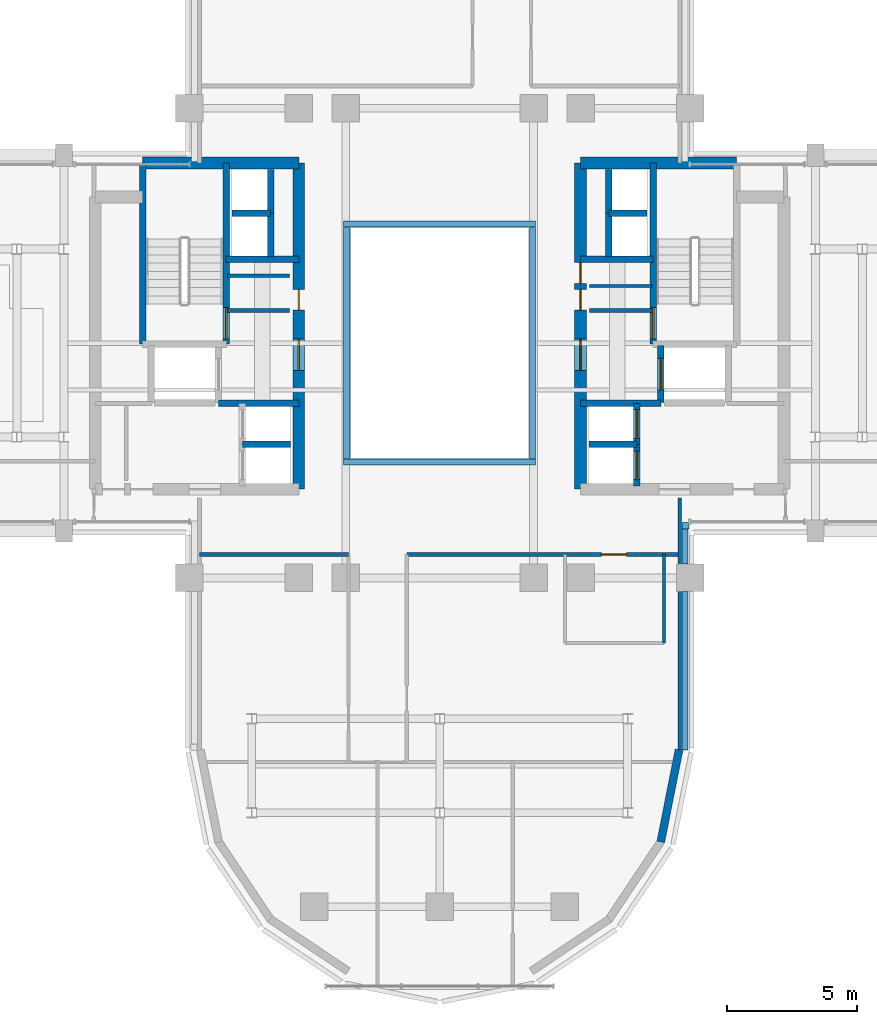
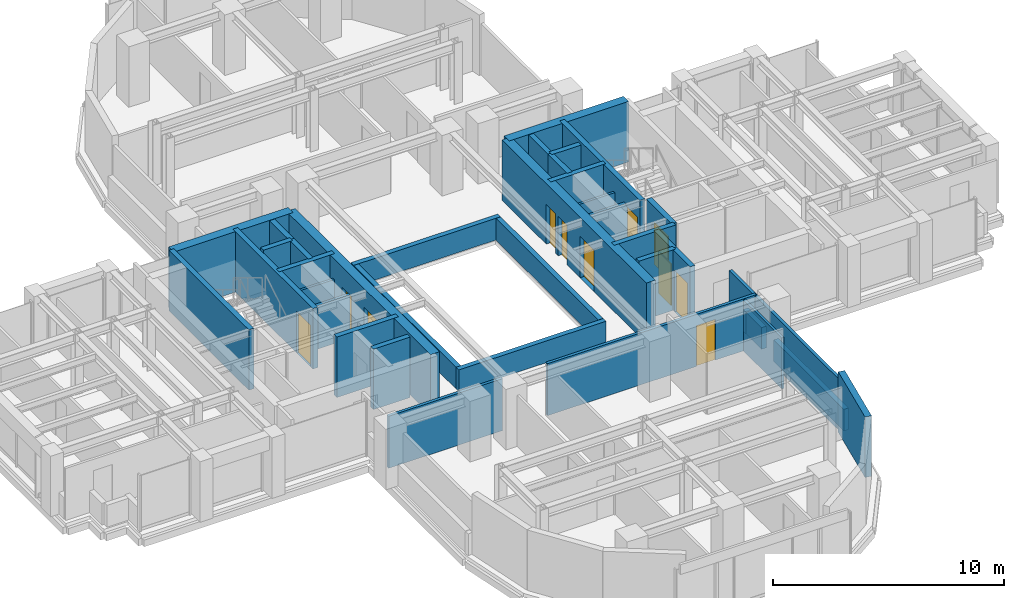
# One storey, part 9 of 14: 38 walls, 11 doors, 11 openings.
"""IFC4 building model written with IfcOpenShell, lengths in metres."""

from ifc_helpers import new_model, si_unit, direction, frame, frame_2d, origin, place, context, subcontext, project, spatial, rectangle, extrude, source, transform, mapped, material, layer, layer_set, type_object, element, fill, save


model = new_model("IFC4")

# Units and contexts
model_context = context("Model", 3, precision=1e-05, world=origin(), true_north=direction((0.0, 1.0)))
body_context = subcontext(model_context, "Body", "Model", "MODEL_VIEW")
ifc_project = project(units=[si_unit("LENGTHUNIT", "METRE"), si_unit("AREAUNIT", "SQUARE_METRE"), si_unit("VOLUMEUNIT", "CUBIC_METRE"), si_unit("PLANEANGLEUNIT", "RADIAN"), si_unit("MASSUNIT", "GRAM", prefix="KILO")], contexts=[model_context])

# Site, building, storey
site_placement = place(None, origin())
site = spatial("IfcSite", under=ifc_project, at=site_placement, CompositionType="ELEMENT")
building_placement = place(site_placement, origin())
building = spatial("IfcBuilding", under=site, at=building_placement, Name="Keilestroom Media Tower", CompositionType="ELEMENT")
storey_placement = place(building_placement, frame((0.0, 0.0, 121.0)))
storey = spatial("IfcBuildingStorey", under=building, at=storey_placement, Name="L32", CompositionType="ELEMENT", Elevation=121.0)

# Walls
ifc_material_1 = material(Name="Precast concrete C40/50", Category="concrete")
ifc_layer_1 = layer(ifc_material_1, 0.300048828125)
ifc_layer_set_1 = layer_set([ifc_layer_1], Name="Precast concrete C40/50")
wall_type_1 = type_object("IfcWallType", Name="Exterior-Masonry-Spandrel-Wall-300", PredefinedType="SOLIDWALL", material=ifc_layer_set_1)
wall_1_placement = place(storey_placement, frame((8.470703125, -19.12451171875, 0.0), z_axis=(0.0, 0.0, 1.0), x_axis=(0.195114232679, 0.980780523974, 0.0)))
element("IfcWall", 1, at=wall_1_placement, inside=storey, type_object=wall_type_1, Name="L32 Lobe Facet Precast Frame Wall 12", PredefinedType="SOLIDWALL", context=body_context, shape_type="SweptSolid", body=[
    extrude(rectangle(XDim=3.608642578125, YDim=0.300048828125, at=frame_2d((1.80419921875, 0.0))), origin(), (0.0, 0.0, 1.0), 3.199951171875),
])
ifc_material_2 = material(Name="Gypsum Plasterboard & Steel Stud", Category="steel")
ifc_layer_2 = layer(ifc_material_2, 0.1201171875)
ifc_layer_set_2 = layer_set([ifc_layer_2], Name="Gypsum Plasterboard & Steel Stud")
wall_type_2 = type_object("IfcWallType", Name="Interior-Partition-Wall-120", PredefinedType="PARTITIONING", material=ifc_layer_set_2)
for number, where, z_axis, x_axis, name in (
    (2, (-8.139892578125, 2.580078125, 0.0), (0.0, 0.0, 1.0), (1.0, 0.0, 0.0), "L32 Interior Wall WP-L32-CNW-N"),
    (3, (5.75, 2.179931640625, 0.0), (0.0, 0.0, 1.0), (1.0, 0.0, 0.0), "L32 Interior Wall WP-L32-CNE-N"),
):
    element("IfcWall", number, at=place(storey_placement, frame(where, z_axis=z_axis, x_axis=x_axis)), inside=storey, type_object=wall_type_2, Name=name, PredefinedType="PARTITIONING", context=body_context, shape_type="SweptSolid", body=[
        extrude(rectangle(XDim=2.389892578125, YDim=0.1201171875, at=frame_2d((1.19482421875, 0.0))), origin(), (0.0, 0.0, 1.0), 2.300048828125),
    ])
wall_2_placement = place(storey_placement, frame((8.60009765625, -11.5, 0.0), z_axis=(0.0, 0.0, 1.0), x_axis=(0.0, 1.0, 0.0)))
element("IfcWall", 4, at=wall_2_placement, inside=storey, type_object=wall_type_2, Name="L32 Interior Wall WP-L32-SL-WC-E", PredefinedType="PARTITIONING", context=body_context, shape_type="SweptSolid", body=[
    extrude(rectangle(XDim=3.39990234375, YDim=0.1201171875, at=frame_2d((1.699951171875, 0.0))), origin(), (0.0, 0.0, 1.0), 2.699951171875),
])
ifc_layer_3 = layer(ifc_material_2, 0.14990234375)
ifc_layer_set_3 = layer_set([ifc_layer_3], Name="Gypsum Plasterboard & Steel Stud")
wall_type_3 = type_object("IfcWallType", Name="Interior-Partition-Wall-150", PredefinedType="PARTITIONING", material=ifc_layer_set_3)
for number, where, z_axis, x_axis, name in (
    (5, (-8.139892578125, 1.239990234375, 0.0), (0.0, 0.0, 1.0), (1.0, 0.0, 0.0), "L32 Interior Wall WP-L32-FFW-TOP"),
    (6, (5.75, 1.239990234375, 0.0), (0.0, 0.0, 1.0), (1.0, 0.0, 0.0), "L32 Interior Wall WP-L32-FFE-TOP"),
):
    element("IfcWall", number, at=place(storey_placement, frame(where, z_axis=z_axis, x_axis=x_axis)), inside=storey, type_object=wall_type_3, Name=name, PredefinedType="PARTITIONING", context=body_context, shape_type="SweptSolid", body=[
        extrude(rectangle(XDim=2.389892578125, YDim=0.14990234375, at=frame_2d((1.19482421875, 0.0))), origin(), (0.0, 0.0, 1.0), 2.300048828125),
    ])
wall_3_placement = place(storey_placement, frame((9.199951171875, -15.679931640625, 0.0), z_axis=(0.0, 0.0, 1.0), x_axis=(0.0, 1.0, 0.0)))
element("IfcWall", 7, at=wall_3_placement, inside=storey, type_object=wall_type_3, Name="L32 Interior Wall WP-L32-SL-CHKE", PredefinedType="PARTITIONING", context=body_context, shape_type="SweptSolid", body=[
    extrude(rectangle(XDim=9.739990234375, YDim=0.14990234375, at=frame_2d((4.8701171875, 0.0))), origin(), (0.0, 0.0, 1.0), 2.699951171875),
])
wall_4_placement = place(storey_placement, frame((-9.199951171875, -8.10009765625, 0.0), z_axis=(0.0, 0.0, 1.0), x_axis=(1.0, 0.0, 0.0)))
element("IfcWall", 8, at=wall_4_placement, inside=storey, type_object=wall_type_3, Name="L32 Interior Wall WP-L32-SL-BASE-W", PredefinedType="PARTITIONING", context=body_context, shape_type="SweptSolid", body=[
    extrude(rectangle(XDim=5.699951171875, YDim=0.14990234375, at=frame_2d((2.85009765625, 0.0))), origin(), (0.0, 0.0, 1.0), 2.75),
])

# Wall, opening, door
wall_5_placement = place(storey_placement, frame((-1.260009765625, -8.10009765625, 0.0), z_axis=(0.0, 0.0, 1.0), x_axis=(1.0, 0.0, 0.0)))
wall_5 = element("IfcWall", 9, at=wall_5_placement, inside=storey, type_object=wall_type_3, Name="L32 Interior Wall WP-L32-SL-BASE-E", PredefinedType="PARTITIONING", context=body_context, shape_type="SweptSolid", body=[
    extrude(rectangle(XDim=10.4599609375, YDim=0.14990234375, at=frame_2d((5.22998046875, 0.0))), origin(), (0.0, 0.0, 1.0), 2.75),
])
opening_1_placement = place(wall_5_placement, frame((7.4599609375, 0.0, 0.0)))
opening_1 = element("IfcOpeningElement", 10, at=opening_1_placement, cuts=wall_5, Name="Opening DI-03", PredefinedType="OPENING", context=body_context, shape_type="SweptSolid", body=[
    extrude(rectangle(XDim=0.949951171875, YDim=2.14990234375, at=frame_2d((0.47509765625, 1.074951171875))), frame((0.0, 0.0849609375, 0.0), z_axis=(0.0, -1.0, 0.0), x_axis=(1.0, 0.0, 0.0)), (0.0, 0.0, 1.0), 0.169921875),
])
ifc_material_3 = material(Name="Lacquered European Oak Leaf", Category="wood")
door_type_1 = type_object("IfcDoorType", Name="Interior-Room-And-Suite-Door-DI-03", OperationType="NOTDEFINED", PredefinedType="DOOR", material=ifc_material_3)
shared_shape_1 = source(origin(), body_context, "Body", "SweptSolid", [
    extrude(rectangle(XDim=0.949951171875, YDim=2.14990234375, at=frame_2d((0.47509765625, 1.074951171875))), frame((0.0, 0.02490234375, 0.0), z_axis=(0.0, -1.0, 0.0), x_axis=(1.0, 0.0, 0.0)), (0.0, 0.0, 1.0), 0.050048828125),
])
door_1_placement = place(opening_1_placement, origin())
door_1 = element("IfcDoor", 11, at=door_1_placement, inside=storey, type_object=door_type_1, Name="L32 Interior Door DI-L32-DSL-WC", OperationType="SINGLE_SWING_LEFT", OverallHeight=2.14990234375, OverallWidth=0.949951171875, PredefinedType="DOOR", context=body_context, shape_type="MappedRepresentation", body=[
    mapped(shared_shape_1, transform((0.0, 0.0, 0.0), x_axis=(1.0, 0.0, 0.0), y_axis=(0.0, 1.0, 0.0), z_axis=(0.0, 0.0, 1.0), scale=1.0)),
])
fill(opening_1, door_1)

# Wall, openings, doors
ifc_material_4 = material(Name="Concrete C55/67", Category="concrete")
ifc_layer_4 = layer(ifc_material_4, 0.449951171875)
ifc_layer_set_4 = layer_set([ifc_layer_4], Name="Concrete C55/67")
wall_type_4 = type_object("IfcWallType", Name="Reinforced-Concrete-Core-Shear-Wall-450", PredefinedType="SHEAR", material=ifc_layer_set_4)
wall_6_placement = place(storey_placement, frame((-5.39990234375, -5.60009765625, 0.0), z_axis=(0.0, 0.0, 1.0), x_axis=(0.0, 1.0, 0.0)))
wall_6 = element("IfcWall", 12, at=wall_6_placement, inside=storey, type_object=wall_type_4, Name="L32 Core Shear Wall WL-L32-CORE-W-IN", PredefinedType="SHEAR", context=body_context, shape_type="SweptSolid", body=[
    extrude(rectangle(XDim=12.5, YDim=0.449951171875, at=frame_2d((6.25, 0.0))), origin(), (0.0, 0.0, 1.0), 3.199951171875),
])
opening_2_placement = place(wall_6_placement, frame((4.550048828125, 0.0, 0.0)))
opening_2 = element("IfcOpeningElement", 13, at=opening_2_placement, cuts=wall_6, Name="Opening DI-02", PredefinedType="OPENING", context=body_context, shape_type="SweptSolid", body=[
    extrude(rectangle(XDim=1.199951171875, YDim=2.199951171875, at=frame_2d((0.60009765625, 1.10009765625))), frame((0.0, 0.23486328125, 0.0), z_axis=(0.0, -1.0, 0.0), x_axis=(1.0, 0.0, 0.0)), (0.0, 0.0, 1.0), 0.469970703125),
])
opening_3_placement = place(wall_6_placement, frame((6.860107421875, 0.0, 0.0)))
opening_3 = element("IfcOpeningElement", 14, at=opening_3_placement, cuts=wall_6, Name="Opening DI-06", PredefinedType="OPENING", context=body_context, shape_type="SweptSolid", body=[
    extrude(rectangle(XDim=0.800048828125, YDim=2.10009765625, at=frame_2d((0.39990234375, 1.050048828125))), frame((0.0, 0.23486328125, 0.0), z_axis=(0.0, -1.0, 0.0), x_axis=(1.0, 0.0, 0.0)), (0.0, 0.0, 1.0), 0.469970703125),
])
ifc_material_5 = material(Name="Powder-Coated Steel Fire Leaf", Category="steel")
door_type_2 = type_object("IfcDoorType", Name="Interior-Compartment-Fire-Door-DI-02", OperationType="NOTDEFINED", PredefinedType="DOOR", material=ifc_material_5)
shared_shape_2 = source(origin(), body_context, "Body", "SweptSolid", [
    extrude(rectangle(XDim=1.199951171875, YDim=2.199951171875, at=frame_2d((0.60009765625, 1.10009765625))), frame((0.0, 0.02490234375, 0.0), z_axis=(0.0, -1.0, 0.0), x_axis=(1.0, 0.0, 0.0)), (0.0, 0.0, 1.0), 0.050048828125),
])
door_2_placement = place(opening_2_placement, origin())
door_2 = element("IfcDoor", 15, at=door_2_placement, inside=storey, type_object=door_type_2, Name="L32 W Firefighting Lobby Door", OperationType="SINGLE_SWING_RIGHT", OverallHeight=2.199951171875, OverallWidth=1.199951171875, PredefinedType="DOOR", context=body_context, shape_type="MappedRepresentation", body=[
    mapped(shared_shape_2, transform((0.0, 0.0, 0.0), x_axis=(1.0, 0.0, 0.0), y_axis=(0.0, 1.0, 0.0), z_axis=(0.0, 0.0, 1.0), scale=1.0)),
])
fill(opening_2, door_2)
ifc_material_6 = material(Name="Powder-Coated Steel Service Leaf", Category="steel")
door_type_3 = type_object("IfcDoorType", Name="Interior-Riser-Access-Door-DI-06", OperationType="NOTDEFINED", PredefinedType="DOOR", material=ifc_material_6)
shared_shape_3 = source(origin(), body_context, "Body", "SweptSolid", [
    extrude(rectangle(XDim=0.800048828125, YDim=2.10009765625, at=frame_2d((0.39990234375, 1.050048828125))), frame((0.0, 0.02490234375, 0.0), z_axis=(0.0, -1.0, 0.0), x_axis=(1.0, 0.0, 0.0)), (0.0, 0.0, 1.0), 0.050048828125),
])
door_3_placement = place(opening_3_placement, origin())
door_3 = element("IfcDoor", 16, at=door_3_placement, inside=storey, type_object=door_type_3, Name="L32 West Core Switchroom Door", OperationType="SINGLE_SWING_LEFT", OverallHeight=2.10009765625, OverallWidth=0.800048828125, PredefinedType="DOOR", context=body_context, shape_type="MappedRepresentation", body=[
    mapped(shared_shape_3, transform((0.0, 0.0, 0.0), x_axis=(1.0, 0.0, 0.0), y_axis=(0.0, 1.0, 0.0), z_axis=(0.0, 0.0, 1.0), scale=1.0)),
])
fill(opening_3, door_3)

# Wall
wall_7_placement = place(storey_placement, frame((-11.381103515625, 6.89990234375, 0.0), z_axis=(0.0, 0.0, 1.0), x_axis=(1.0, 0.0, 0.0)))
element("IfcWall", 17, at=wall_7_placement, inside=storey, type_object=wall_type_4, Name="L32 Core Shear Wall WL-L32-CORE-W-N", PredefinedType="SHEAR", context=body_context, shape_type="SweptSolid", body=[
    extrude(rectangle(XDim=5.981201171875, YDim=0.449951171875, at=frame_2d((2.99072265625, 0.0))), origin(), (0.0, 0.0, 1.0), 3.199951171875),
])

# Wall, openings, doors
wall_8_placement = place(storey_placement, frame((5.39990234375, -5.60009765625, 0.0), z_axis=(0.0, 0.0, 1.0), x_axis=(0.0, 1.0, 0.0)))
wall_8 = element("IfcWall", 18, at=wall_8_placement, inside=storey, type_object=wall_type_4, Name="L32 Core Shear Wall WL-L32-CORE-E-IN", PredefinedType="SHEAR", context=body_context, shape_type="SweptSolid", body=[
    extrude(rectangle(XDim=12.5, YDim=0.449951171875, at=frame_2d((6.25, 0.0))), origin(), (0.0, 0.0, 1.0), 3.199951171875),
])
opening_4_placement = place(wall_8_placement, frame((4.550048828125, 0.0, 0.0)))
opening_4 = element("IfcOpeningElement", 19, at=opening_4_placement, cuts=wall_8, Name="Opening DI-02", PredefinedType="OPENING", context=body_context, shape_type="SweptSolid", body=[
    extrude(rectangle(XDim=1.199951171875, YDim=2.199951171875, at=frame_2d((0.60009765625, 1.10009765625))), frame((0.0, 0.23486328125, 0.0), z_axis=(0.0, -1.0, 0.0), x_axis=(1.0, 0.0, 0.0)), (0.0, 0.0, 1.0), 0.469970703125),
])
opening_5_placement = place(wall_8_placement, frame((6.860107421875, 0.0, 0.0)))
opening_5 = element("IfcOpeningElement", 20, at=opening_5_placement, cuts=wall_8, Name="Opening DI-06", PredefinedType="OPENING", context=body_context, shape_type="SweptSolid", body=[
    extrude(rectangle(XDim=0.800048828125, YDim=2.10009765625, at=frame_2d((0.39990234375, 1.050048828125))), frame((0.0, 0.23486328125, 0.0), z_axis=(0.0, -1.0, 0.0), x_axis=(1.0, 0.0, 0.0)), (0.0, 0.0, 1.0), 0.469970703125),
])
opening_6_placement = place(wall_8_placement, frame((7.8798828125, 0.0, 0.0)))
opening_6 = element("IfcOpeningElement", 21, at=opening_6_placement, cuts=wall_8, Name="Opening DI-06", PredefinedType="OPENING", context=body_context, shape_type="SweptSolid", body=[
    extrude(rectangle(XDim=0.800048828125, YDim=2.10009765625, at=frame_2d((0.39990234375, 1.050048828125))), frame((0.0, 0.23486328125, 0.0), z_axis=(0.0, -1.0, 0.0), x_axis=(1.0, 0.0, 0.0)), (0.0, 0.0, 1.0), 0.469970703125),
])
door_4_placement = place(opening_4_placement, origin())
door_4 = element("IfcDoor", 22, at=door_4_placement, inside=storey, type_object=door_type_2, Name="L32 E Firefighting Lobby Door", OperationType="SINGLE_SWING_LEFT", OverallHeight=2.199951171875, OverallWidth=1.199951171875, PredefinedType="DOOR", context=body_context, shape_type="MappedRepresentation", body=[
    mapped(shared_shape_2, transform((0.0, 0.0, 0.0), x_axis=(1.0, 0.0, 0.0), y_axis=(0.0, 1.0, 0.0), z_axis=(0.0, 0.0, 1.0), scale=1.0)),
])
fill(opening_4, door_4)
door_5_placement = place(opening_5_placement, origin())
door_5 = element("IfcDoor", 23, at=door_5_placement, inside=storey, type_object=door_type_3, Name="L32 East Core Telecom Door", OperationType="SINGLE_SWING_RIGHT", OverallHeight=2.10009765625, OverallWidth=0.800048828125, PredefinedType="DOOR", context=body_context, shape_type="MappedRepresentation", body=[
    mapped(shared_shape_3, transform((0.0, 0.0, 0.0), x_axis=(1.0, 0.0, 0.0), y_axis=(0.0, 1.0, 0.0), z_axis=(0.0, 0.0, 1.0), scale=1.0)),
])
fill(opening_5, door_5)
door_6_placement = place(opening_6_placement, origin())
door_6 = element("IfcDoor", 24, at=door_6_placement, inside=storey, type_object=door_type_3, Name="L32 East Core Closet Door", OperationType="SINGLE_SWING_RIGHT", OverallHeight=2.10009765625, OverallWidth=0.800048828125, PredefinedType="DOOR", context=body_context, shape_type="MappedRepresentation", body=[
    mapped(shared_shape_3, transform((0.0, 0.0, 0.0), x_axis=(1.0, 0.0, 0.0), y_axis=(0.0, 1.0, 0.0), z_axis=(0.0, 0.0, 1.0), scale=1.0)),
])
fill(opening_6, door_6)

# Walls
wall_9_placement = place(storey_placement, frame((5.39990234375, 6.89990234375, 0.0), z_axis=(0.0, 0.0, 1.0), x_axis=(1.0, 0.0, 0.0)))
element("IfcWall", 25, at=wall_9_placement, inside=storey, type_object=wall_type_4, Name="L32 Core Shear Wall WL-L32-CORE-E-N", PredefinedType="SHEAR", context=body_context, shape_type="SweptSolid", body=[
    extrude(rectangle(XDim=5.981201171875, YDim=0.449951171875, at=frame_2d((2.99072265625, 0.0))), origin(), (0.0, 0.0, 1.0), 3.199951171875),
])
ifc_material_7 = material(Name="Concrete C50/60", Category="concrete")
ifc_layer_5 = layer(ifc_material_7, 0.25)
ifc_layer_set_5 = layer_set([ifc_layer_5], Name="Concrete C50/60")
wall_type_5 = type_object("IfcWallType", Name="Reinforced-Concrete-Shaft-Wall-250", PredefinedType="SOLIDWALL", material=ifc_layer_set_5)
wall_10_placement = place(storey_placement, frame((-8.179931640625, 3.219970703125, 0.0), z_axis=(0.0, 0.0, 1.0), x_axis=(1.0, 0.0, 0.0)))
element("IfcWall", 26, at=wall_10_placement, inside=storey, type_object=wall_type_5, Name="L32 Core Shear Wall WL-L32-CORE-W-FFN", PredefinedType="SOLIDWALL", context=body_context, shape_type="SweptSolid", body=[
    extrude(rectangle(XDim=2.780029296875, YDim=0.25, at=frame_2d((1.39013671875, 0.0))), origin(), (0.0, 0.0, 1.0), 3.199951171875),
])
wall_11_placement = place(storey_placement, frame((-8.47998046875, -2.300048828125, 0.0), z_axis=(0.0, 0.0, 1.0), x_axis=(1.0, 0.0, 0.0)))
element("IfcWall", 27, at=wall_11_placement, inside=storey, type_object=wall_type_5, Name="L32 Core Shear Wall WL-L32-CORE-W-FFS", PredefinedType="SOLIDWALL", context=body_context, shape_type="SweptSolid", body=[
    extrude(rectangle(XDim=3.080078125, YDim=0.25, at=frame_2d((1.5400390625, 0.0))), origin(), (0.0, 0.0, 1.0), 3.199951171875),
])

# Wall, opening, door
wall_12_placement = place(storey_placement, frame((-8.178955078125, -0.041015625, 0.0), z_axis=(0.0, 0.0, 1.0), x_axis=(0.0, 1.0, 0.0)))
wall_12 = element("IfcWall", 28, at=wall_12_placement, inside=storey, type_object=wall_type_5, Name="L32 Core Shear Wall WL-L32-STW-W-NEAR", PredefinedType="SOLIDWALL", context=body_context, shape_type="SweptSolid", body=[
    extrude(rectangle(XDim=6.94091796875, YDim=0.25, at=frame_2d((3.470458984375, 0.0))), origin(), (0.0, 0.0, 1.0), 3.199951171875),
])
opening_7_placement = place(wall_12_placement, frame((0.199951171875, 0.0, 0.0)))
opening_7 = element("IfcOpeningElement", 29, at=opening_7_placement, cuts=wall_12, Name="Opening DI-01S", PredefinedType="OPENING", context=body_context, shape_type="SweptSolid", body=[
    extrude(rectangle(XDim=1.199951171875, YDim=2.199951171875, at=frame_2d((0.60009765625, 1.10009765625))), frame((0.0, 0.135009765625, 0.0), z_axis=(0.0, -1.0, 0.0), x_axis=(1.0, 0.0, 0.0)), (0.0, 0.0, 1.0), 0.27001953125),
])
door_type_4 = type_object("IfcDoorType", Name="Interior-Stair-And-Core-Fire-Door-DI-01", OperationType="NOTDEFINED", PredefinedType="DOOR", material=ifc_material_5)
door_7_placement = place(opening_7_placement, origin())
door_7 = element("IfcDoor", 30, at=door_7_placement, inside=storey, type_object=door_type_4, Name="L32 Escape Stair ST-1 Fire Door", OperationType="SINGLE_SWING_LEFT", OverallHeight=2.199951171875, OverallWidth=1.199951171875, PredefinedType="DOOR", context=body_context, shape_type="MappedRepresentation", body=[
    mapped(shared_shape_2, transform((0.0, 0.0, 0.0), x_axis=(1.0, 0.0, 0.0), y_axis=(0.0, 1.0, 0.0), z_axis=(0.0, 0.0, 1.0), scale=1.0)),
])
fill(opening_7, door_7)

# Walls
wall_13_placement = place(storey_placement, frame((-11.381103515625, -0.041015625, 0.0), z_axis=(0.0, 0.0, 1.0), x_axis=(0.0, 1.0, 0.0)))
element("IfcWall", 31, at=wall_13_placement, inside=storey, type_object=wall_type_5, Name="L32 Core Shear Wall WL-L32-STW-W-FAR", PredefinedType="SOLIDWALL", context=body_context, shape_type="SweptSolid", body=[
    extrude(rectangle(XDim=6.94091796875, YDim=0.25, at=frame_2d((3.470458984375, 0.0))), origin(), (0.0, 0.0, 1.0), 3.199951171875),
])
wall_14_placement = place(storey_placement, frame((5.39990234375, 3.219970703125, 0.0), z_axis=(0.0, 0.0, 1.0), x_axis=(1.0, 0.0, 0.0)))
element("IfcWall", 32, at=wall_14_placement, inside=storey, type_object=wall_type_5, Name="L32 Core Shear Wall WL-L32-CORE-E-FFN", PredefinedType="SOLIDWALL", context=body_context, shape_type="SweptSolid", body=[
    extrude(rectangle(XDim=2.780029296875, YDim=0.25, at=frame_2d((1.39013671875, 0.0))), origin(), (0.0, 0.0, 1.0), 3.199951171875),
])
wall_15_placement = place(storey_placement, frame((5.39990234375, -2.300048828125, 0.0), z_axis=(0.0, 0.0, 1.0), x_axis=(1.0, 0.0, 0.0)))
element("IfcWall", 33, at=wall_15_placement, inside=storey, type_object=wall_type_5, Name="L32 Core Shear Wall WL-L32-CORE-E-FFS", PredefinedType="SOLIDWALL", context=body_context, shape_type="SweptSolid", body=[
    extrude(rectangle(XDim=3.080078125, YDim=0.25, at=frame_2d((1.5400390625, 0.0))), origin(), (0.0, 0.0, 1.0), 3.199951171875),
])

# Wall, opening, door
wall_16_placement = place(storey_placement, frame((8.178955078125, -0.041015625, 0.0), z_axis=(0.0, 0.0, 1.0), x_axis=(0.0, 1.0, 0.0)))
wall_16 = element("IfcWall", 34, at=wall_16_placement, inside=storey, type_object=wall_type_5, Name="L32 Core Shear Wall WL-L32-STW-E-NEAR", PredefinedType="SOLIDWALL", context=body_context, shape_type="SweptSolid", body=[
    extrude(rectangle(XDim=6.94091796875, YDim=0.25, at=frame_2d((3.470458984375, 0.0))), origin(), (0.0, 0.0, 1.0), 3.199951171875),
])
opening_8_placement = place(wall_16_placement, frame((0.199951171875, 0.0, 0.0)))
opening_8 = element("IfcOpeningElement", 35, at=opening_8_placement, cuts=wall_16, Name="Opening DI-01S", PredefinedType="OPENING", context=body_context, shape_type="SweptSolid", body=[
    extrude(rectangle(XDim=1.199951171875, YDim=2.199951171875, at=frame_2d((0.60009765625, 1.10009765625))), frame((0.0, 0.135009765625, 0.0), z_axis=(0.0, -1.0, 0.0), x_axis=(1.0, 0.0, 0.0)), (0.0, 0.0, 1.0), 0.27001953125),
])
door_8_placement = place(opening_8_placement, origin())
door_8 = element("IfcDoor", 36, at=door_8_placement, inside=storey, type_object=door_type_4, Name="L32 Escape Stair ST-2 Fire Door", OperationType="SINGLE_SWING_RIGHT", OverallHeight=2.199951171875, OverallWidth=1.199951171875, PredefinedType="DOOR", context=body_context, shape_type="MappedRepresentation", body=[
    mapped(shared_shape_2, transform((0.0, 0.0, 0.0), x_axis=(1.0, 0.0, 0.0), y_axis=(0.0, 1.0, 0.0), z_axis=(0.0, 0.0, 1.0), scale=1.0)),
])
fill(opening_8, door_8)

wall_17_placement = place(storey_placement, frame((8.47998046875, -2.280029296875, 0.0), z_axis=(0.0, 0.0, 1.0), x_axis=(0.0, 1.0, 0.0)))
wall_17 = element("IfcWall", 37, at=wall_17_placement, inside=storey, type_object=wall_type_5, Name="L32 Core Shear Wall WL-L32-LSH-FFL-2-W", PredefinedType="SOLIDWALL", context=body_context, shape_type="SweptSolid", body=[
    extrude(rectangle(XDim=2.179931640625, YDim=0.25, at=frame_2d((1.08984375, 0.0))), origin(), (0.0, 0.0, 1.0), 3.199951171875),
])
opening_9_placement = place(wall_17_placement, frame((0.489990234375, 0.0, 0.0)))
opening_9 = element("IfcOpeningElement", 38, at=opening_9_placement, cuts=wall_17, Name="Opening LD-02", PredefinedType="OPENING", context=body_context, shape_type="SweptSolid", body=[
    extrude(rectangle(XDim=1.199951171875, YDim=2.199951171875, at=frame_2d((0.60009765625, 1.10009765625))), frame((0.0, 0.135009765625, 0.0), z_axis=(0.0, -1.0, 0.0), x_axis=(1.0, 0.0, 0.0)), (0.0, 0.0, 1.0), 0.27001953125),
])
ifc_material_8 = material(Name="Brushed Stainless Steel Sliding Leaf", Category="steel")
door_type_5 = type_object("IfcDoorType", Name="Lift-Landing-Sliding-Door-LD-02", OperationType="SLIDING_TO_RIGHT", PredefinedType="DOOR", material=ifc_material_8)
door_9_placement = place(opening_9_placement, origin())
door_9 = element("IfcDoor", 39, at=door_9_placement, inside=storey, type_object=door_type_5, Name="L32 Lift FFL-2 Landing Sliding Door", OperationType="SLIDING_TO_RIGHT", OverallHeight=2.199951171875, OverallWidth=1.199951171875, PredefinedType="DOOR", context=body_context, shape_type="MappedRepresentation", body=[
    mapped(shared_shape_2, transform((0.0, 0.0, 0.0), x_axis=(1.0, 0.0, 0.0), y_axis=(0.0, 1.0, 0.0), z_axis=(0.0, 0.0, 1.0), scale=1.0)),
])
fill(opening_9, door_9)

# Wall
wall_18_placement = place(storey_placement, frame((-7.56005859375, -3.8798828125, 0.0), z_axis=(0.0, 0.0, 1.0), x_axis=(1.0, 0.0, 0.0)))
element("IfcWall", 40, at=wall_18_placement, inside=storey, type_object=wall_type_5, Name="L32 Core Shear Wall WL-L32-LSH-PL-M1-N", PredefinedType="SOLIDWALL", context=body_context, shape_type="SweptSolid", body=[
    extrude(rectangle(XDim=1.840087890625, YDim=0.25, at=frame_2d((0.919921875, 0.0))), origin(), (0.0, 0.0, 1.0), 3.199951171875),
])

# Wall, opening, door
wall_19_placement = place(storey_placement, frame((7.56005859375, -5.47998046875, 0.0), z_axis=(0.0, 0.0, 1.0), x_axis=(0.0, 1.0, 0.0)))
wall_19 = element("IfcWall", 41, at=wall_19_placement, inside=storey, type_object=wall_type_5, Name="L32 Core Shear Wall WL-L32-LSH-PL-M3-E", PredefinedType="SOLIDWALL", context=body_context, shape_type="SweptSolid", body=[
    extrude(rectangle(XDim=1.60009765625, YDim=0.25, at=frame_2d((0.800048828125, 0.0))), origin(), (0.0, 0.0, 1.0), 3.199951171875),
])
opening_10_placement = place(wall_19_placement, frame((0.25, 0.0, 0.0)))
opening_10 = element("IfcOpeningElement", 42, at=opening_10_placement, cuts=wall_19, Name="Opening LD-01", PredefinedType="OPENING", context=body_context, shape_type="SweptSolid", body=[
    extrude(rectangle(XDim=1.10009765625, YDim=2.199951171875, at=frame_2d((0.550048828125, 1.10009765625))), frame((0.0, 0.135009765625, 0.0), z_axis=(0.0, -1.0, 0.0), x_axis=(1.0, 0.0, 0.0)), (0.0, 0.0, 1.0), 0.27001953125),
])
door_type_6 = type_object("IfcDoorType", Name="Lift-Landing-Sliding-Door-LD-01", OperationType="SLIDING_TO_LEFT", PredefinedType="DOOR", material=ifc_material_8)
shared_shape_4 = source(origin(), body_context, "Body", "SweptSolid", [
    extrude(rectangle(XDim=1.10009765625, YDim=2.199951171875, at=frame_2d((0.550048828125, 1.10009765625))), frame((0.0, 0.02490234375, 0.0), z_axis=(0.0, -1.0, 0.0), x_axis=(1.0, 0.0, 0.0)), (0.0, 0.0, 1.0), 0.050048828125),
])
door_10_placement = place(opening_10_placement, origin())
door_10 = element("IfcDoor", 43, at=door_10_placement, inside=storey, type_object=door_type_6, Name="L32 Lift PL-M3 Landing Sliding Door", OperationType="SLIDING_TO_LEFT", OverallHeight=2.199951171875, OverallWidth=1.10009765625, PredefinedType="DOOR", context=body_context, shape_type="MappedRepresentation", body=[
    mapped(shared_shape_4, transform((0.0, 0.0, 0.0), x_axis=(1.0, 0.0, 0.0), y_axis=(0.0, 1.0, 0.0), z_axis=(0.0, 0.0, 1.0), scale=1.0)),
])
fill(opening_10, door_10)

# Wall
wall_20_placement = place(storey_placement, frame((5.719970703125, -3.8798828125, 0.0), z_axis=(0.0, 0.0, 1.0), x_axis=(1.0, 0.0, 0.0)))
element("IfcWall", 44, at=wall_20_placement, inside=storey, type_object=wall_type_5, Name="L32 Core Shear Wall WL-L32-LSH-PL-M3-N", PredefinedType="SOLIDWALL", context=body_context, shape_type="SweptSolid", body=[
    extrude(rectangle(XDim=1.840087890625, YDim=0.25, at=frame_2d((0.919921875, 0.0))), origin(), (0.0, 0.0, 1.0), 3.199951171875),
])

# Wall, opening, door
wall_21_placement = place(storey_placement, frame((7.56005859375, -3.8798828125, 0.0), z_axis=(0.0, 0.0, 1.0), x_axis=(0.0, 1.0, 0.0)))
wall_21 = element("IfcWall", 45, at=wall_21_placement, inside=storey, type_object=wall_type_5, Name="L32 Core Shear Wall WL-L32-LSH-PL-M4-E", PredefinedType="SOLIDWALL", context=body_context, shape_type="SweptSolid", body=[
    extrude(rectangle(XDim=1.559814453125, YDim=0.25, at=frame_2d((0.77978515625, 0.0))), origin(), (0.0, 0.0, 1.0), 3.199951171875),
])
opening_11_placement = place(wall_21_placement, frame((0.22998046875, 0.0, 0.0)))
opening_11 = element("IfcOpeningElement", 46, at=opening_11_placement, cuts=wall_21, Name="Opening LD-01", PredefinedType="OPENING", context=body_context, shape_type="SweptSolid", body=[
    extrude(rectangle(XDim=1.10009765625, YDim=2.199951171875, at=frame_2d((0.550048828125, 1.10009765625))), frame((0.0, 0.135009765625, 0.0), z_axis=(0.0, -1.0, 0.0), x_axis=(1.0, 0.0, 0.0)), (0.0, 0.0, 1.0), 0.27001953125),
])
door_11_placement = place(opening_11_placement, origin())
door_11 = element("IfcDoor", 47, at=door_11_placement, inside=storey, type_object=door_type_6, Name="L32 Lift PL-M4 Landing Sliding Door", OperationType="SLIDING_TO_LEFT", OverallHeight=2.199951171875, OverallWidth=1.10009765625, PredefinedType="DOOR", context=body_context, shape_type="MappedRepresentation", body=[
    mapped(shared_shape_4, transform((0.0, 0.0, 0.0), x_axis=(1.0, 0.0, 0.0), y_axis=(0.0, 1.0, 0.0), z_axis=(0.0, 0.0, 1.0), scale=1.0)),
])
fill(opening_11, door_11)

# Walls
wall_22_placement = place(storey_placement, frame((-6.47998046875, 3.300048828125, 0.0), z_axis=(0.0, 0.0, 1.0), x_axis=(0.0, 1.0, 0.0)))
element("IfcWall", 48, at=wall_22_placement, inside=storey, type_object=wall_type_5, Name="L32 Core Shear Wall WL-L32-LSH-PL-H1-E", PredefinedType="SOLIDWALL", context=body_context, shape_type="SweptSolid", body=[
    extrude(rectangle(XDim=1.679931640625, YDim=0.25, at=frame_2d((0.83984375, 0.0))), origin(), (0.0, 0.0, 1.0), 3.199951171875),
])
wall_23_placement = place(storey_placement, frame((-7.949951171875, 4.97998046875, 0.0), z_axis=(0.0, 0.0, 1.0), x_axis=(1.0, 0.0, 0.0)))
element("IfcWall", 49, at=wall_23_placement, inside=storey, type_object=wall_type_5, Name="L32 Core Shear Wall WL-L32-LSH-PL-H1-N", PredefinedType="SOLIDWALL", context=body_context, shape_type="SweptSolid", body=[
    extrude(rectangle(XDim=1.469970703125, YDim=0.25, at=frame_2d((0.73486328125, 0.0))), origin(), (0.0, 0.0, 1.0), 3.199951171875),
])
wall_24_placement = place(storey_placement, frame((-6.47998046875, 4.97998046875, 0.0), z_axis=(0.0, 0.0, 1.0), x_axis=(0.0, 1.0, 0.0)))
element("IfcWall", 50, at=wall_24_placement, inside=storey, type_object=wall_type_5, Name="L32 Core Shear Wall WL-L32-LSH-PL-H2-E", PredefinedType="SOLIDWALL", context=body_context, shape_type="SweptSolid", body=[
    extrude(rectangle(XDim=1.669921875, YDim=0.25, at=frame_2d((0.8349609375, 0.0))), origin(), (0.0, 0.0, 1.0), 3.199951171875),
])
wall_25_placement = place(storey_placement, frame((6.47998046875, 3.300048828125, 0.0), z_axis=(0.0, 0.0, 1.0), x_axis=(0.0, 1.0, 0.0)))
element("IfcWall", 51, at=wall_25_placement, inside=storey, type_object=wall_type_5, Name="L32 Core Shear Wall WL-L32-LSH-PL-H3-W", PredefinedType="SOLIDWALL", context=body_context, shape_type="SweptSolid", body=[
    extrude(rectangle(XDim=1.679931640625, YDim=0.25, at=frame_2d((0.83984375, 0.0))), origin(), (0.0, 0.0, 1.0), 3.199951171875),
])
wall_26_placement = place(storey_placement, frame((6.47998046875, 4.97998046875, 0.0), z_axis=(0.0, 0.0, 1.0), x_axis=(1.0, 0.0, 0.0)))
element("IfcWall", 52, at=wall_26_placement, inside=storey, type_object=wall_type_5, Name="L32 Core Shear Wall WL-L32-LSH-PL-H3-N", PredefinedType="SOLIDWALL", context=body_context, shape_type="SweptSolid", body=[
    extrude(rectangle(XDim=1.469970703125, YDim=0.25, at=frame_2d((0.73486328125, 0.0))), origin(), (0.0, 0.0, 1.0), 3.199951171875),
])
wall_27_placement = place(storey_placement, frame((6.47998046875, 4.97998046875, 0.0), z_axis=(0.0, 0.0, 1.0), x_axis=(0.0, 1.0, 0.0)))
element("IfcWall", 53, at=wall_27_placement, inside=storey, type_object=wall_type_5, Name="L32 Core Shear Wall WL-L32-LSH-PL-H4-W", PredefinedType="SOLIDWALL", context=body_context, shape_type="SweptSolid", body=[
    extrude(rectangle(XDim=1.669921875, YDim=0.25, at=frame_2d((0.8349609375, 0.0))), origin(), (0.0, 0.0, 1.0), 3.199951171875),
])
ifc_layer_6 = layer(ifc_material_1, 0.239990234375)
ifc_layer_set_6 = layer_set([ifc_layer_6], Name="Precast concrete C40/50")
wall_type_6 = type_object("IfcWallType", Name="Roof-And-Terrace-Parapet-Wall-240", PredefinedType="PARAPET", material=ifc_layer_set_6)
wall_28_placement = place(storey_placement, frame((9.547119140625, -7.0, 0.0), z_axis=(0.0, 0.0, 1.0), x_axis=(-1.0, 0.0, 0.0)))
element("IfcWall", 54, at=wall_28_placement, inside=storey, type_object=wall_type_6, Name="L32 Perimeter Edge Parapet Wall 04", PredefinedType="PARAPET", context=body_context, shape_type="SweptSolid", body=[
    extrude(rectangle(XDim=0.26904296875, YDim=0.239990234375, at=frame_2d((0.134521484375, 0.0))), origin(), (0.0, 0.0, 1.0), 1.14990234375),
])
wall_29_placement = place(storey_placement, frame((9.39990234375, -7.123046875, 0.0), z_axis=(0.0, 0.0, 1.0), x_axis=(0.0, -1.0, 0.0)))
element("IfcWall", 55, at=wall_29_placement, inside=storey, type_object=wall_type_6, Name="L32 Perimeter Edge Parapet Wall 05", PredefinedType="PARAPET", context=body_context, shape_type="SweptSolid", body=[
    extrude(rectangle(XDim=1.348876953125, YDim=0.239990234375, at=frame_2d((0.67431640625, 0.0))), origin(), (0.0, 0.0, 1.0), 1.14990234375),
])
wall_30_placement = place(storey_placement, frame((9.39990234375, -9.528076171875, 0.0), z_axis=(0.0, 0.0, 1.0), x_axis=(0.0, -1.0, 0.0)))
element("IfcWall", 56, at=wall_30_placement, inside=storey, type_object=wall_type_6, Name="L32 Perimeter Edge Parapet Wall 06", PredefinedType="PARAPET", context=body_context, shape_type="SweptSolid", body=[
    extrude(rectangle(XDim=6.07470703125, YDim=0.239990234375, at=frame_2d((3.037353515625, 0.0))), origin(), (0.0, 0.0, 1.0), 1.14990234375),
])
for number, where, z_axis, x_axis, name in (
    (57, (-3.679931640625, -4.56005859375, 0.0), (0.0, 0.0, 1.0), (1.0, 0.0, 0.0), "L32 Central Atrium Guard Parapet S"),
    (58, (-3.679931640625, 4.56005859375, 0.0), (0.0, 0.0, 1.0), (1.0, 0.0, 0.0), "L32 Central Atrium Guard Parapet N"),
):
    element("IfcWall", number, at=place(storey_placement, frame(where, z_axis=z_axis, x_axis=x_axis)), inside=storey, type_object=wall_type_6, Name=name, PredefinedType="PARAPET", context=body_context, shape_type="SweptSolid", body=[
        extrude(rectangle(XDim=7.35986328125, YDim=0.239990234375, at=frame_2d((3.679931640625, 0.0))), origin(), (0.0, 0.0, 1.0), 1.14990234375),
    ])
for number, where, z_axis, x_axis, name in (
    (59, (-3.56005859375, -4.43505859375, 0.0), (0.0, 0.0, 1.0), (0.0, 1.0, 0.0), "L32 Central Atrium Guard Parapet W"),
    (60, (3.56005859375, -4.43505859375, 0.0), (0.0, 0.0, 1.0), (0.0, 1.0, 0.0), "L32 Central Atrium Guard Parapet E"),
):
    element("IfcWall", number, at=place(storey_placement, frame(where, z_axis=z_axis, x_axis=x_axis)), inside=storey, type_object=wall_type_6, Name=name, PredefinedType="PARAPET", context=body_context, shape_type="SweptSolid", body=[
        extrude(rectangle(XDim=8.8701171875, YDim=0.239990234375, at=frame_2d((4.43505859375, 0.0))), origin(), (0.0, 0.0, 1.0), 1.14990234375),
    ])

save(model, "model.ifc")
